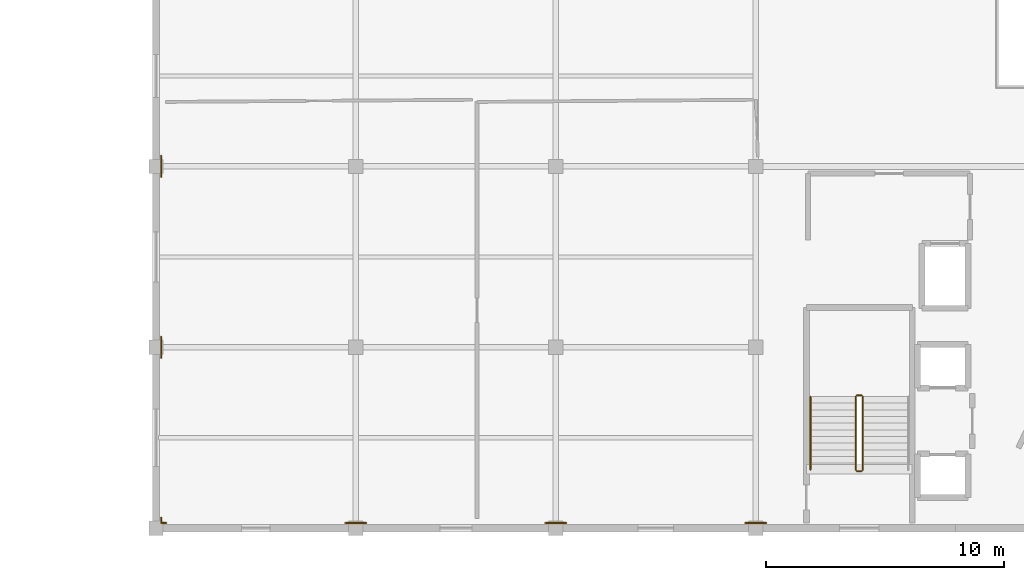
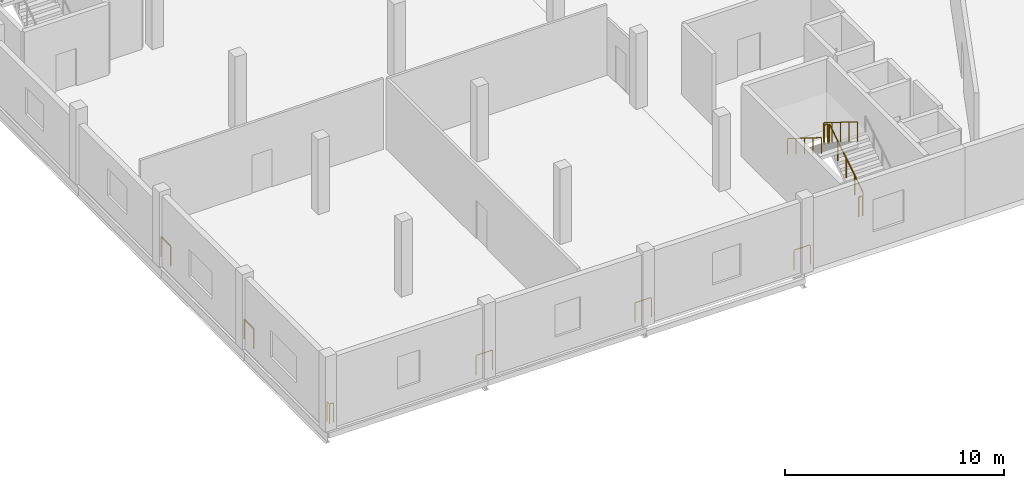
# One storey, part 136 of 151: 11 railings.
"""IFC4 building model written with IfcOpenShell, lengths in metres."""

import ifcopenshell
import ifcopenshell.guid

model = None  # the IFC model being written
_history = None  # IfcOwnerHistory: only IFC2X3 demands one
_inside = {}  # id of a spatial element -> (the spatial element, [elements in it])
_under = {}  # id of a project, library or spatial element -> (it, [spatial elements below it])
_declared = {}  # id of a project -> (the project, [libraries it declares])
_typed = {}  # id of a type object -> (the type object, [elements of that type])
_made_of = {}  # id of a material, layer set ... -> (it, [elements and type objects made of it])


def new_model(schema):
    """Start an empty IFC model of exactly this schema.

    Asked for "IFC4X3", IfcOpenShell would pick the latest addendum, in which some entities
    have other attributes; the version numbers below select the first issue.
    IFC2X3 requires an IfcOwnerHistory on every rooted entity: one is made here for all.
    """
    global model, _history
    if schema == "IFC4X3":
        model = ifcopenshell.file(schema_version=(4, 3, 0, 0))
    else:
        model = ifcopenshell.file(schema=schema)
    _inside.clear()
    _under.clear()
    _declared.clear()
    _typed.clear()
    _made_of.clear()
    _history = None
    if model.schema == "IFC2X3":
        org = make("IfcOrganization", Name="unknown")
        user = make(
            "IfcPersonAndOrganization",
            ThePerson=make("IfcPerson", FamilyName="unknown"),
            TheOrganization=org,
        )
        app = make(
            "IfcApplication",
            ApplicationDeveloper=org,
            Version="unknown",
            ApplicationFullName="unknown",
            ApplicationIdentifier="unknown",
        )
        _history = make(
            "IfcOwnerHistory",
            OwningUser=user,
            OwningApplication=app,
            ChangeAction="ADDED",
            CreationDate=0,
        )
    return model


def make(cls, **values):
    """One entity of the class cls with the attributes given. An attribute that is None is left unset."""
    return model.create_entity(
        cls, **{name: value for name, value in values.items() if value is not None}
    )


def rooted(cls, **values):
    """An entity with a GlobalId (a new one), such as an element, a storey or a relation."""
    return make(cls, GlobalId=ifcopenshell.guid.new(), OwnerHistory=_history, **values)


def si_unit(unit_type, name, prefix=None):
    """IfcSIUnit, for example si_unit("LENGTHUNIT", "METRE", prefix="MILLI")."""
    return make("IfcSIUnit", UnitType=unit_type, Prefix=prefix, Name=name)


def assignment(units):
    """IfcUnitAssignment: the units of a project."""
    return None if units is None else make("IfcUnitAssignment", Units=units)


def point(xyz):
    """IfcCartesianPoint."""
    return None if xyz is None else make("IfcCartesianPoint", Coordinates=xyz)


def direction(xyz):
    """IfcDirection."""
    return None if xyz is None else make("IfcDirection", DirectionRatios=xyz)


def frame(location, z_axis=None, x_axis=None):
    """IfcAxis2Placement3D, a coordinate frame: its origin and axes. An axis left out is left unset."""
    return make(
        "IfcAxis2Placement3D",
        Location=point(location),
        Axis=direction(z_axis),
        RefDirection=direction(x_axis),
    )


def frame_2d(location, x_axis=None):
    """IfcAxis2Placement2D, a coordinate frame in the plane: its origin and x axis."""
    return make(
        "IfcAxis2Placement2D", Location=point(location), RefDirection=direction(x_axis)
    )


def origin():
    """The frame at (0, 0, 0) with its axes left unset."""
    return frame((0.0, 0.0, 0.0))


def origin_2d():
    """The frame at (0, 0) in the plane with its x axis left unset."""
    return frame_2d((0.0, 0.0))


def place(relative_to, where):
    """IfcLocalPlacement: puts the frame where relative to a parent placement (None: the world)."""
    return make(
        "IfcLocalPlacement", PlacementRelTo=relative_to, RelativePlacement=where
    )


def context(
    kind, dimensions, precision=None, world=None, true_north=None, identifier=None
):
    """IfcGeometricRepresentationContext, for example the 3D "Model" context."""
    return make(
        "IfcGeometricRepresentationContext",
        ContextIdentifier=identifier,
        ContextType=kind,
        CoordinateSpaceDimension=dimensions,
        Precision=precision,
        WorldCoordinateSystem=world,
        TrueNorth=true_north,
    )


def subcontext(parent, identifier, kind, view, scale=None):
    """IfcGeometricRepresentationSubContext, for example "Body" below "Model"."""
    return make(
        "IfcGeometricRepresentationSubContext",
        ContextIdentifier=identifier,
        ContextType=kind,
        ParentContext=parent,
        TargetScale=scale,
        TargetView=view,
    )


def project(units=None, contexts=None):
    """IfcProject with its units and contexts."""
    return rooted(
        "IfcProject",
        Name="project",
        RepresentationContexts=contexts,
        UnitsInContext=assignment(units),
    )


def spatial(cls, under=None, at=None, **own):
    """A site, building, storey or space (cls), placed at a placement, below another one or the project."""
    s = rooted(cls, ObjectPlacement=at, **own)
    if under is not None:
        _under.setdefault(under.id(), (under, []))[1].append(s)
    return s


def profile(cls, at=None, kind="AREA", **sizes):
    """A parametric profile (cls). Its sizes go by their IFC names, for example OverallWidth=200.0."""
    return make(cls, ProfileType=kind, Position=at, **sizes)


def circle(**sizes):
    """IfcCircleProfileDef."""
    return profile("IfcCircleProfileDef", **sizes)


def extrude(swept, where, along, depth):
    """IfcExtrudedAreaSolid: the profile swept, set in the frame where, extruded along a direction by depth."""
    return make(
        "IfcExtrudedAreaSolid",
        SweptArea=swept,
        Position=where,
        ExtrudedDirection=direction(along),
        Depth=depth,
    )


def shape(context_of_items, identifier, shape_type, items):
    """IfcShapeRepresentation: the items that make up one representation, for example the "Body"."""
    return make(
        "IfcShapeRepresentation",
        ContextOfItems=context_of_items,
        RepresentationIdentifier=identifier,
        RepresentationType=shape_type,
        Items=items,
    )


def material(Name=None, Category=None):
    """IfcMaterial."""
    return make("IfcMaterial", Name=Name, Category=Category)


def made_of(thing, what):
    """Note that an element or type object is made of a material, layer set ...; save() writes the relation."""
    if what is not None:
        _made_of.setdefault(what.id(), (what, []))[1].append(thing)
    return thing


def type_object(cls, material=None, **own):
    """A type object (cls), such as IfcWallType, which elements share."""
    return made_of(rooted(cls, **own), material)


def element(
    cls,
    number,
    at=None,
    inside=None,
    cuts=None,
    type_object=None,
    material=None,
    context=None,
    identifier="Body",
    shape_type=None,
    held_by="IfcProductDefinitionShape",
    body=None,
    shapes=None,
    **own,
):
    """One element of the class cls, such as IfcWall. Its Tag is "e" and its number.

    at: its placement. inside: the storey or other place that contains it. cuts: it is an
    opening in that element (IfcRelVoidsElement). A single representation is given by context,
    identifier, shape_type and body (its items); several are given by shapes. held_by: the class
    of the entity that holds the representations. save() writes the other relations.
    """
    e = rooted(cls, Tag="e%d" % number, ObjectPlacement=at, **own)
    if body is not None:
        shapes = [shape(context, identifier, shape_type, body)]
    if shapes is not None:
        e.Representation = make(held_by, Representations=shapes)
    if inside is not None:
        _inside.setdefault(inside.id(), (inside, []))[1].append(e)
    if cuts is not None:
        rooted(
            "IfcRelVoidsElement", RelatingBuildingElement=cuts, RelatedOpeningElement=e
        )
    if type_object is not None:
        _typed.setdefault(type_object.id(), (type_object, []))[1].append(e)
    return made_of(e, material)


def aggregate(whole, parts):
    """IfcRelAggregates: a whole, such as a stair, and the parts it consists of."""
    return rooted("IfcRelAggregates", RelatingObject=whole, RelatedObjects=parts)


def save(model, path):
    """Write the relations noted so far, then the file.

    IfcRelAggregates (storeys below a building ...), IfcRelContainedInSpatialStructure (elements
    in a storey), IfcRelDefinesByType, IfcRelAssociatesMaterial and IfcRelDeclares: one each for
    every whole, place, type object, material and project.
    """
    for whole, parts in _under.values():
        aggregate(whole, parts)
    for where, things in _inside.values():
        rooted(
            "IfcRelContainedInSpatialStructure",
            RelatedElements=things,
            RelatingStructure=where,
        )
    for kind, things in _typed.values():
        rooted("IfcRelDefinesByType", RelatedObjects=things, RelatingType=kind)
    for what, things in _made_of.values():
        rooted("IfcRelAssociatesMaterial", RelatedObjects=things, RelatingMaterial=what)
    for by, libraries in _declared.values():
        rooted("IfcRelDeclares", RelatingContext=by, RelatedDefinitions=libraries)
    model.write(path)


model = new_model("IFC4")

# Units and contexts
model_context = context("Model", 3, precision=1e-05, world=origin(), true_north=direction((0.0, 1.0)))
body_context = subcontext(model_context, "Body", "Model", "MODEL_VIEW")
ifc_project = project(units=[si_unit("LENGTHUNIT", "METRE"), si_unit("AREAUNIT", "SQUARE_METRE"), si_unit("VOLUMEUNIT", "CUBIC_METRE"), si_unit("PLANEANGLEUNIT", "RADIAN"), si_unit("MASSUNIT", "GRAM", prefix="KILO")], contexts=[model_context])

# Site, building, storey
site_placement = place(None, origin())
site = spatial("IfcSite", under=ifc_project, at=site_placement, CompositionType="ELEMENT")
building_placement = place(site_placement, origin())
building = spatial("IfcBuilding", under=site, at=building_placement, Name="Zuvorla Pavilion Media Centre", CompositionType="ELEMENT")
storey_placement = place(building_placement, frame((0.0, 0.0, 13.800048828125)))
storey = spatial("IfcBuildingStorey", under=building, at=storey_placement, Name="L03", CompositionType="ELEMENT", Elevation=13.800048828125)

# Railings
ifc_material_1 = material(Name="Powder-coated steel balustrade guard", Category="steel")
railing_type_1 = type_object("IfcRailingType", Name="RL-INT-GRD", PredefinedType="BALUSTRADE", material=ifc_material_1)
railing_1_placement = place(storey_placement, frame((71.300048828125, 8.449951171875, 0.175048828125)))
element("IfcRailing", 1, at=railing_1_placement, inside=storey, type_object=railing_type_1, Name="L03 ST-01 stair guard 1", PredefinedType="BALUSTRADE", context=body_context, shape_type="SweptSolid", body=[
    extrude(circle(Radius=0.02392578125, at=origin_2d()), frame((0.0, 0.0244140625, 1.111328125), z_axis=(0.0, 0.848028513186, 0.529950602248), x_axis=(-1.0, 0.0, 0.0)), (0.0, 0.0, 1.0), 3.57421875),
    extrude(circle(Radius=0.02099609375, at=origin_2d()), origin(), (0.0, 0.0, 1.0), 1.070068359375),
    extrude(circle(Radius=0.02099609375, at=origin_2d()), frame((0.0, 0.77001953125, 0.481201171875)), (0.0, 0.0, 1.0), 1.070068359375),
    extrude(circle(Radius=0.02099609375, at=origin_2d()), frame((0.0, 1.5400390625, 0.96240234375)), (0.0, 0.0, 1.0), 1.070068359375),
    extrude(circle(Radius=0.02099609375, at=origin_2d()), frame((0.0, 2.31005859375, 1.443603515625)), (0.0, 0.0, 1.0), 1.070068359375),
    extrude(circle(Radius=0.02099609375, at=origin_2d()), frame((0.0, 3.080078125, 1.9248046875)), (0.0, 0.0, 1.0), 1.070068359375),
])
railing_2_placement = place(storey_placement, frame((71.25, 11.580078125, 2.099853515625)))
element("IfcRailing", 2, at=railing_2_placement, inside=storey, type_object=railing_type_1, Name="L03 ST-01 stair guard 2", PredefinedType="BALUSTRADE", context=body_context, shape_type="SweptSolid", body=[
    extrude(circle(Radius=0.02392578125, at=origin_2d()), frame((-0.02880859375, 0.0, 1.09619140625), z_axis=(-1.0, 0.0, 0.0), x_axis=(0.0, -1.0, 0.0)), (0.0, 0.0, 1.0), 0.142333984375),
    extrude(circle(Radius=0.02099609375, at=origin_2d()), origin(), (0.0, 0.0, 1.0), 1.070068359375),
    extrude(circle(Radius=0.02099609375, at=origin_2d()), frame((-0.199951171875, 0.0, 0.0)), (0.0, 0.0, 1.0), 1.070068359375),
])
railing_3_placement = place(storey_placement, frame((71.0, 11.530029296875, 2.27490234375)))
element("IfcRailing", 3, at=railing_3_placement, inside=storey, type_object=railing_type_1, Name="L03 ST-01 stair guard 3", PredefinedType="BALUSTRADE", context=body_context, shape_type="SweptSolid", body=[
    extrude(circle(Radius=0.02392578125, at=origin_2d()), frame((0.0, -0.0244140625, 1.111328125), z_axis=(0.0, -0.847998304005, 0.529998940003), x_axis=(1.0, 0.0, 0.0)), (0.0, 0.0, 1.0), 3.574462890625),
    extrude(circle(Radius=0.02099609375, at=origin_2d()), origin(), (0.0, 0.0, 1.0), 1.070068359375),
    extrude(circle(Radius=0.02099609375, at=origin_2d()), frame((0.0, -0.77001953125, 0.481201171875)), (0.0, 0.0, 1.0), 1.070068359375),
    extrude(circle(Radius=0.02099609375, at=origin_2d()), frame((0.0, -1.5400390625, 0.96240234375)), (0.0, 0.0, 1.0), 1.070068359375),
    extrude(circle(Radius=0.02099609375, at=origin_2d()), frame((0.0, -2.31005859375, 1.44384765625)), (0.0, 0.0, 1.0), 1.070068359375),
    extrude(circle(Radius=0.02099609375, at=origin_2d()), frame((0.0, -3.080078125, 1.925048828125)), (0.0, 0.0, 1.0), 1.070068359375),
])
railing_4_placement = place(storey_placement, frame((71.25, 8.39990234375, 0.0)))
element("IfcRailing", 4, at=railing_4_placement, inside=storey, type_object=railing_type_1, Name="L03 ST-01 stair guard 4", PredefinedType="BALUSTRADE", context=body_context, shape_type="SweptSolid", body=[
    extrude(circle(Radius=0.02392578125, at=origin_2d()), frame((-0.02880859375, 0.0, 1.09619140625), z_axis=(-1.0, 0.0, 0.0), x_axis=(0.0, -1.0, 0.0)), (0.0, 0.0, 1.0), 0.142333984375),
    extrude(circle(Radius=0.02099609375, at=origin_2d()), origin(), (0.0, 0.0, 1.0), 1.070068359375),
    extrude(circle(Radius=0.02099609375, at=origin_2d()), frame((-0.199951171875, 0.0, 0.0)), (0.0, 0.0, 1.0), 1.070068359375),
])
railing_5_placement = place(storey_placement, frame((67.239990234375, 6.219970703125, 0.0)))
element("IfcRailing", 5, at=railing_5_placement, inside=storey, type_object=railing_type_1, Name="L03 slab edge guard 104", PredefinedType="BALUSTRADE", context=body_context, shape_type="SweptSolid", body=[
    extrude(circle(Radius=0.02392578125, at=origin_2d()), frame((-0.02880859375, 0.0, 1.09619140625), z_axis=(-1.0, 0.0, 0.0), x_axis=(0.0, -1.0, 0.0)), (0.0, 0.0, 1.0), 0.822265625),
    extrude(circle(Radius=0.02099609375, at=origin_2d()), origin(), (0.0, 0.0, 1.0), 1.070068359375),
    extrude(circle(Radius=0.02099609375, at=origin_2d()), frame((-0.8798828125, 0.0, 0.0)), (0.0, 0.0, 1.0), 1.070068359375),
])
railing_6_placement = place(storey_placement, frame((58.840087890625, 6.219970703125, 0.0)))
element("IfcRailing", 6, at=railing_6_placement, inside=storey, type_object=railing_type_1, Name="L03 slab edge guard 105", PredefinedType="BALUSTRADE", context=body_context, shape_type="SweptSolid", body=[
    extrude(circle(Radius=0.02392578125, at=origin_2d()), frame((-0.02880859375, 0.0, 1.09619140625), z_axis=(-1.0, 0.0, 0.0), x_axis=(0.0, -1.0, 0.0)), (0.0, 0.0, 1.0), 0.822509765625),
    extrude(circle(Radius=0.02099609375, at=origin_2d()), origin(), (0.0, 0.0, 1.0), 1.070068359375),
    extrude(circle(Radius=0.02099609375, at=origin_2d()), frame((-0.880126953125, 0.0, 0.0)), (0.0, 0.0, 1.0), 1.070068359375),
])
railing_7_placement = place(storey_placement, frame((50.43994140625, 6.219970703125, 0.0)))
element("IfcRailing", 7, at=railing_7_placement, inside=storey, type_object=railing_type_1, Name="L03 slab edge guard 106", PredefinedType="BALUSTRADE", context=body_context, shape_type="SweptSolid", body=[
    extrude(circle(Radius=0.02392578125, at=origin_2d()), frame((-0.02880859375, 0.0, 1.09619140625), z_axis=(-1.0, 0.0, 0.0), x_axis=(0.0, -1.0, 0.0)), (0.0, 0.0, 1.0), 0.822265625),
    extrude(circle(Radius=0.02099609375, at=origin_2d()), origin(), (0.0, 0.0, 1.0), 1.070068359375),
    extrude(circle(Radius=0.02099609375, at=origin_2d()), frame((-0.8798828125, 0.0, 0.0)), (0.0, 0.0, 1.0), 1.070068359375),
])
railing_8_placement = place(storey_placement, frame((42.0400390625, 6.219970703125, 0.0)))
element("IfcRailing", 8, at=railing_8_placement, inside=storey, type_object=railing_type_1, Name="L03 slab edge guard 107", PredefinedType="BALUSTRADE", context=body_context, shape_type="SweptSolid", body=[
    extrude(circle(Radius=0.02392578125, at=origin_2d()), frame((-0.02880859375, 0.0, 1.09619140625), z_axis=(-1.0, 0.0, 0.0), x_axis=(0.0, -1.0, 0.0)), (0.0, 0.0, 1.0), 0.162353515625),
    extrude(circle(Radius=0.02392578125, at=origin_2d()), frame((-0.219970703125, 0.02880859375, 1.09619140625), z_axis=(0.0, 1.0, 0.0), x_axis=(-1.0, 0.0, 0.0)), (0.0, 0.0, 1.0), 0.162353515625),
    extrude(circle(Radius=0.02099609375, at=origin_2d()), origin(), (0.0, 0.0, 1.0), 1.070068359375),
    extrude(circle(Radius=0.02099609375, at=origin_2d()), frame((-0.219970703125, 0.0, 0.0)), (0.0, 0.0, 1.0), 1.070068359375),
    extrude(circle(Radius=0.02099609375, at=origin_2d()), frame((-0.219970703125, 0.219970703125, 0.0)), (0.0, 0.0, 1.0), 1.070068359375),
])
railing_9_placement = place(storey_placement, frame((41.820068359375, 13.159912109375, 0.0)))
element("IfcRailing", 9, at=railing_9_placement, inside=storey, type_object=railing_type_1, Name="L03 slab edge guard 108", PredefinedType="BALUSTRADE", context=body_context, shape_type="SweptSolid", body=[
    extrude(circle(Radius=0.02392578125, at=origin_2d()), frame((0.0, 0.02880859375, 1.09619140625), z_axis=(0.0, 1.0, 0.0), x_axis=(-1.0, 0.0, 0.0)), (0.0, 0.0, 1.0), 0.822509765625),
    extrude(circle(Radius=0.02099609375, at=origin_2d()), origin(), (0.0, 0.0, 1.0), 1.070068359375),
    extrude(circle(Radius=0.02099609375, at=origin_2d()), frame((0.0, 0.880126953125, 0.0)), (0.0, 0.0, 1.0), 1.070068359375),
])
railing_10_placement = place(storey_placement, frame((41.820068359375, 20.760009765625, 0.0)))
element("IfcRailing", 10, at=railing_10_placement, inside=storey, type_object=railing_type_1, Name="L03 slab edge guard 109", PredefinedType="BALUSTRADE", context=body_context, shape_type="SweptSolid", body=[
    extrude(circle(Radius=0.02392578125, at=origin_2d()), frame((0.0, 0.02880859375, 1.09619140625), z_axis=(0.0, 1.0, 0.0), x_axis=(-1.0, 0.0, 0.0)), (0.0, 0.0, 1.0), 0.822265625),
    extrude(circle(Radius=0.02099609375, at=origin_2d()), origin(), (0.0, 0.0, 1.0), 1.070068359375),
    extrude(circle(Radius=0.02099609375, at=origin_2d()), frame((0.0, 0.8798828125, 0.0)), (0.0, 0.0, 1.0), 1.070068359375),
])
ifc_material_2 = material(Name="Brushed stainless steel tubular handrail", Category="steel")
railing_type_2 = type_object("IfcRailingType", Name="RL-INT-HND", PredefinedType="HANDRAIL", material=ifc_material_2)
railing_11_placement = place(storey_placement, frame((69.10009765625, 11.530029296875, 2.27490234375)))
element("IfcRailing", 11, at=railing_11_placement, inside=storey, type_object=railing_type_2, Name="L03 ST-01 handrail 2", PredefinedType="HANDRAIL", context=body_context, shape_type="SweptSolid", body=[
    extrude(circle(Radius=0.02392578125, at=origin_2d()), frame((0.0, -0.0244140625, 0.89111328125), z_axis=(0.0, -0.847998304005, 0.529998940003), x_axis=(1.0, 0.0, 0.0)), (0.0, 0.0, 1.0), 3.574462890625),
    extrude(circle(Radius=0.02099609375, at=origin_2d()), origin(), (0.0, 0.0, 1.0), 0.849853515625),
    extrude(circle(Radius=0.02099609375, at=origin_2d()), frame((0.0, -0.77001953125, 0.481201171875)), (0.0, 0.0, 1.0), 0.849853515625),
    extrude(circle(Radius=0.02099609375, at=origin_2d()), frame((0.0, -1.5400390625, 0.96240234375)), (0.0, 0.0, 1.0), 0.849853515625),
    extrude(circle(Radius=0.02099609375, at=origin_2d()), frame((0.0, -2.31005859375, 1.44384765625)), (0.0, 0.0, 1.0), 0.849853515625),
    extrude(circle(Radius=0.02099609375, at=origin_2d()), frame((0.0, -3.080078125, 1.925048828125)), (0.0, 0.0, 1.0), 0.849853515625),
])

save(model, "model.ifc")
